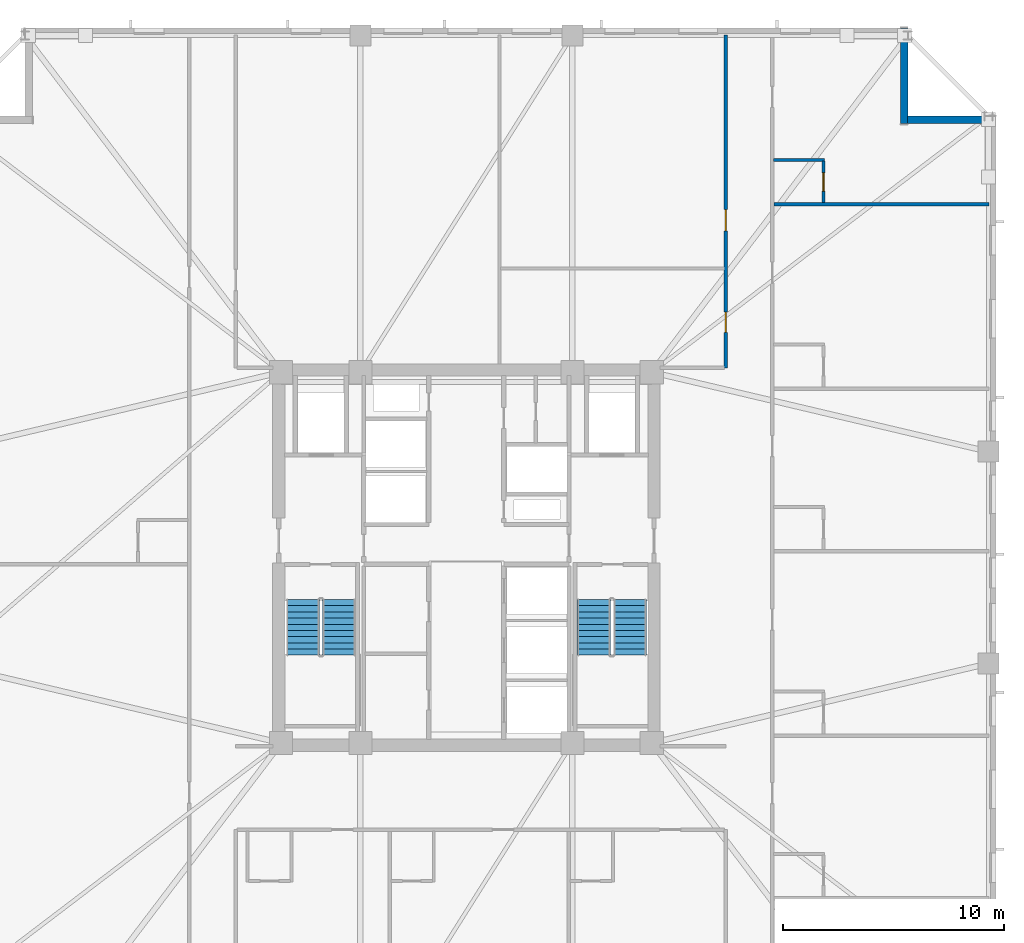
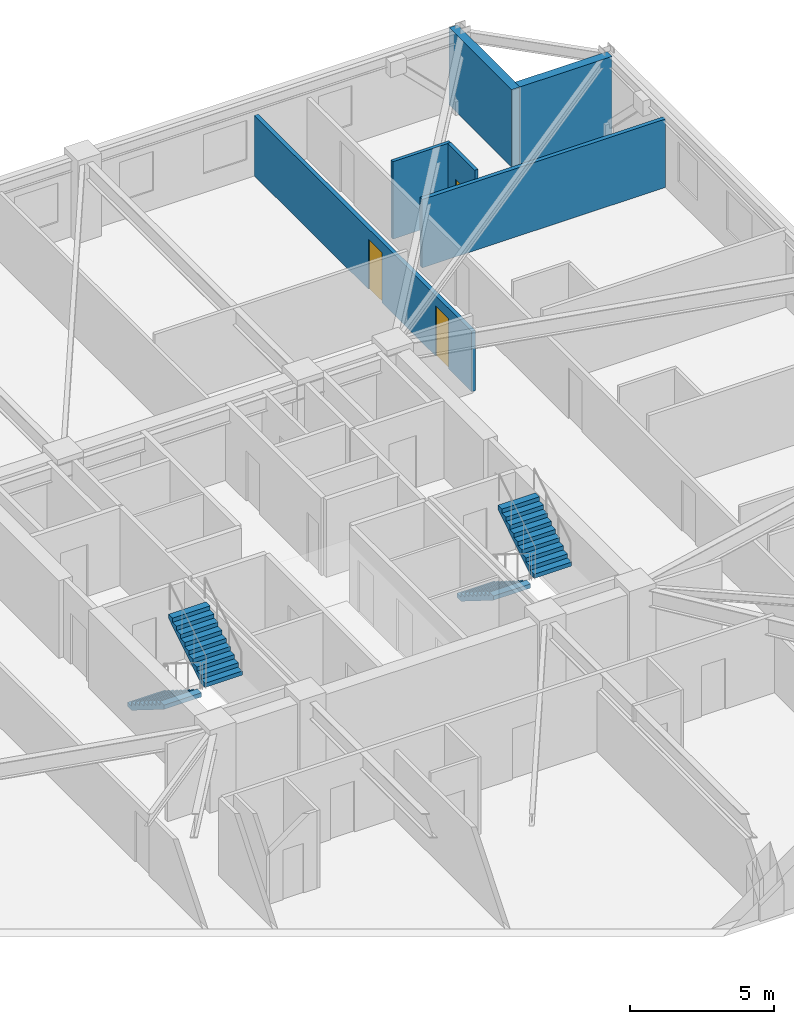
# One storey, part 6 of 11: 6 walls, 4 stair flights, 3 doors, 3 openings, 2 elements without a shape of their own.
"""IFC4 building model written with IfcOpenShell, lengths in metres."""

import ifcopenshell
import ifcopenshell.guid

model = None  # the IFC model being written
_history = None  # IfcOwnerHistory: only IFC2X3 demands one
_inside = {}  # id of a spatial element -> (the spatial element, [elements in it])
_under = {}  # id of a project, library or spatial element -> (it, [spatial elements below it])
_declared = {}  # id of a project -> (the project, [libraries it declares])
_typed = {}  # id of a type object -> (the type object, [elements of that type])
_made_of = {}  # id of a material, layer set ... -> (it, [elements and type objects made of it])


def new_model(schema):
    """Start an empty IFC model of exactly this schema.

    Asked for "IFC4X3", IfcOpenShell would pick the latest addendum, in which some entities
    have other attributes; the version numbers below select the first issue.
    IFC2X3 requires an IfcOwnerHistory on every rooted entity: one is made here for all.
    """
    global model, _history
    if schema == "IFC4X3":
        model = ifcopenshell.file(schema_version=(4, 3, 0, 0))
    else:
        model = ifcopenshell.file(schema=schema)
    _inside.clear()
    _under.clear()
    _declared.clear()
    _typed.clear()
    _made_of.clear()
    _history = None
    if model.schema == "IFC2X3":
        org = make("IfcOrganization", Name="unknown")
        user = make(
            "IfcPersonAndOrganization",
            ThePerson=make("IfcPerson", FamilyName="unknown"),
            TheOrganization=org,
        )
        app = make(
            "IfcApplication",
            ApplicationDeveloper=org,
            Version="unknown",
            ApplicationFullName="unknown",
            ApplicationIdentifier="unknown",
        )
        _history = make(
            "IfcOwnerHistory",
            OwningUser=user,
            OwningApplication=app,
            ChangeAction="ADDED",
            CreationDate=0,
        )
    return model


def make(cls, **values):
    """One entity of the class cls with the attributes given. An attribute that is None is left unset."""
    return model.create_entity(
        cls, **{name: value for name, value in values.items() if value is not None}
    )


def rooted(cls, **values):
    """An entity with a GlobalId (a new one), such as an element, a storey or a relation."""
    return make(cls, GlobalId=ifcopenshell.guid.new(), OwnerHistory=_history, **values)


def si_unit(unit_type, name, prefix=None):
    """IfcSIUnit, for example si_unit("LENGTHUNIT", "METRE", prefix="MILLI")."""
    return make("IfcSIUnit", UnitType=unit_type, Prefix=prefix, Name=name)


def assignment(units):
    """IfcUnitAssignment: the units of a project."""
    return None if units is None else make("IfcUnitAssignment", Units=units)


def point(xyz):
    """IfcCartesianPoint."""
    return None if xyz is None else make("IfcCartesianPoint", Coordinates=xyz)


def direction(xyz):
    """IfcDirection."""
    return None if xyz is None else make("IfcDirection", DirectionRatios=xyz)


def frame(location, z_axis=None, x_axis=None):
    """IfcAxis2Placement3D, a coordinate frame: its origin and axes. An axis left out is left unset."""
    return make(
        "IfcAxis2Placement3D",
        Location=point(location),
        Axis=direction(z_axis),
        RefDirection=direction(x_axis),
    )


def frame_2d(location, x_axis=None):
    """IfcAxis2Placement2D, a coordinate frame in the plane: its origin and x axis."""
    return make(
        "IfcAxis2Placement2D", Location=point(location), RefDirection=direction(x_axis)
    )


def origin():
    """The frame at (0, 0, 0) with its axes left unset."""
    return frame((0.0, 0.0, 0.0))


def place(relative_to, where):
    """IfcLocalPlacement: puts the frame where relative to a parent placement (None: the world)."""
    return make(
        "IfcLocalPlacement", PlacementRelTo=relative_to, RelativePlacement=where
    )


def context(
    kind, dimensions, precision=None, world=None, true_north=None, identifier=None
):
    """IfcGeometricRepresentationContext, for example the 3D "Model" context."""
    return make(
        "IfcGeometricRepresentationContext",
        ContextIdentifier=identifier,
        ContextType=kind,
        CoordinateSpaceDimension=dimensions,
        Precision=precision,
        WorldCoordinateSystem=world,
        TrueNorth=true_north,
    )


def subcontext(parent, identifier, kind, view, scale=None):
    """IfcGeometricRepresentationSubContext, for example "Body" below "Model"."""
    return make(
        "IfcGeometricRepresentationSubContext",
        ContextIdentifier=identifier,
        ContextType=kind,
        ParentContext=parent,
        TargetScale=scale,
        TargetView=view,
    )


def project(units=None, contexts=None):
    """IfcProject with its units and contexts."""
    return rooted(
        "IfcProject",
        Name="project",
        RepresentationContexts=contexts,
        UnitsInContext=assignment(units),
    )


def spatial(cls, under=None, at=None, **own):
    """A site, building, storey or space (cls), placed at a placement, below another one or the project."""
    s = rooted(cls, ObjectPlacement=at, **own)
    if under is not None:
        _under.setdefault(under.id(), (under, []))[1].append(s)
    return s


def polyline(points):
    """IfcPolyline through the points."""
    return make("IfcPolyline", Points=[point(p) for p in points])


def profile(cls, at=None, kind="AREA", **sizes):
    """A parametric profile (cls). Its sizes go by their IFC names, for example OverallWidth=200.0."""
    return make(cls, ProfileType=kind, Position=at, **sizes)


def rectangle(**sizes):
    """IfcRectangleProfileDef."""
    return profile("IfcRectangleProfileDef", **sizes)


def outline(outer, holes=None, kind="AREA"):
    """IfcArbitraryClosedProfileDef: a profile drawn as a closed curve; with holes, ...WithVoids."""
    if holes is None:
        return make("IfcArbitraryClosedProfileDef", ProfileType=kind, OuterCurve=outer)
    return make(
        "IfcArbitraryProfileDefWithVoids",
        ProfileType=kind,
        OuterCurve=outer,
        InnerCurves=holes,
    )


def extrude(swept, where, along, depth):
    """IfcExtrudedAreaSolid: the profile swept, set in the frame where, extruded along a direction by depth."""
    return make(
        "IfcExtrudedAreaSolid",
        SweptArea=swept,
        Position=where,
        ExtrudedDirection=direction(along),
        Depth=depth,
    )


def shape(context_of_items, identifier, shape_type, items):
    """IfcShapeRepresentation: the items that make up one representation, for example the "Body"."""
    return make(
        "IfcShapeRepresentation",
        ContextOfItems=context_of_items,
        RepresentationIdentifier=identifier,
        RepresentationType=shape_type,
        Items=items,
    )


def material(Name=None, Category=None):
    """IfcMaterial."""
    return make("IfcMaterial", Name=Name, Category=Category)


def layer(
    of_material, thickness, ventilated=None, Name=None, Category=None, Priority=None
):
    """IfcMaterialLayer: one layer of a wall or slab, of a material (None: an air gap)."""
    return make(
        "IfcMaterialLayer",
        Material=of_material,
        LayerThickness=thickness,
        IsVentilated=ventilated,
        Name=Name,
        Category=Category,
        Priority=Priority,
    )


def layer_set(layers, Name=None):
    """IfcMaterialLayerSet."""
    return make("IfcMaterialLayerSet", MaterialLayers=layers, LayerSetName=Name)


def made_of(thing, what):
    """Note that an element or type object is made of a material, layer set ...; save() writes the relation."""
    if what is not None:
        _made_of.setdefault(what.id(), (what, []))[1].append(thing)
    return thing


def type_object(cls, material=None, **own):
    """A type object (cls), such as IfcWallType, which elements share."""
    return made_of(rooted(cls, **own), material)


def element(
    cls,
    number,
    at=None,
    inside=None,
    cuts=None,
    type_object=None,
    material=None,
    context=None,
    identifier="Body",
    shape_type=None,
    held_by="IfcProductDefinitionShape",
    body=None,
    shapes=None,
    **own,
):
    """One element of the class cls, such as IfcWall. Its Tag is "e" and its number.

    at: its placement. inside: the storey or other place that contains it. cuts: it is an
    opening in that element (IfcRelVoidsElement). A single representation is given by context,
    identifier, shape_type and body (its items); several are given by shapes. held_by: the class
    of the entity that holds the representations. save() writes the other relations.
    """
    e = rooted(cls, Tag="e%d" % number, ObjectPlacement=at, **own)
    if body is not None:
        shapes = [shape(context, identifier, shape_type, body)]
    if shapes is not None:
        e.Representation = make(held_by, Representations=shapes)
    if inside is not None:
        _inside.setdefault(inside.id(), (inside, []))[1].append(e)
    if cuts is not None:
        rooted(
            "IfcRelVoidsElement", RelatingBuildingElement=cuts, RelatedOpeningElement=e
        )
    if type_object is not None:
        _typed.setdefault(type_object.id(), (type_object, []))[1].append(e)
    return made_of(e, material)


def fill(opening, filler):
    """IfcRelFillsElement: the door or window that sits in an opening."""
    return rooted(
        "IfcRelFillsElement",
        RelatingOpeningElement=opening,
        RelatedBuildingElement=filler,
    )


def aggregate(whole, parts):
    """IfcRelAggregates: a whole, such as a stair, and the parts it consists of."""
    return rooted("IfcRelAggregates", RelatingObject=whole, RelatedObjects=parts)


def save(model, path):
    """Write the relations noted so far, then the file.

    IfcRelAggregates (storeys below a building ...), IfcRelContainedInSpatialStructure (elements
    in a storey), IfcRelDefinesByType, IfcRelAssociatesMaterial and IfcRelDeclares: one each for
    every whole, place, type object, material and project.
    """
    for whole, parts in _under.values():
        aggregate(whole, parts)
    for where, things in _inside.values():
        rooted(
            "IfcRelContainedInSpatialStructure",
            RelatedElements=things,
            RelatingStructure=where,
        )
    for kind, things in _typed.values():
        rooted("IfcRelDefinesByType", RelatedObjects=things, RelatingType=kind)
    for what, things in _made_of.values():
        rooted("IfcRelAssociatesMaterial", RelatedObjects=things, RelatingMaterial=what)
    for by, libraries in _declared.values():
        rooted("IfcRelDeclares", RelatingContext=by, RelatedDefinitions=libraries)
    model.write(path)


model = new_model("IFC4")

# Units and contexts
model_context = context("Model", 3, precision=1e-05, world=origin(), true_north=direction((0.0, 1.0)))
body_context = subcontext(model_context, "Body", "Model", "MODEL_VIEW")
ifc_project = project(units=[si_unit("LENGTHUNIT", "METRE"), si_unit("AREAUNIT", "SQUARE_METRE"), si_unit("VOLUMEUNIT", "CUBIC_METRE"), si_unit("PLANEANGLEUNIT", "RADIAN"), si_unit("MASSUNIT", "GRAM", prefix="KILO")], contexts=[model_context])

# Site, building, storey
site_placement = place(None, origin())
site = spatial("IfcSite", under=ifc_project, at=site_placement, CompositionType="ELEMENT")
building_placement = place(site_placement, origin())
building = spatial("IfcBuilding", under=site, at=building_placement, Name="Cairnveth Concourse Tower", CompositionType="ELEMENT")
storey_placement = place(building_placement, frame((0.0, 0.0, 127.0)))
storey = spatial("IfcBuildingStorey", under=building, at=storey_placement, Name="L34", CompositionType="ELEMENT", Elevation=127.0)

# Wall, openings, doors
ifc_material_1 = material(Name="Gypsum Plasterboard Partition", Category="gypsum")
ifc_layer_1 = layer(ifc_material_1, 0.159912109375)
ifc_layer_set_1 = layer_set([ifc_layer_1], Name="Gypsum Plasterboard Partition")
wall_type_1 = type_object("IfcWallType", Name="ACOUSTIC PARTY WALL 180", PredefinedType="PARTITIONING", material=ifc_layer_set_1)
wall_1_placement = place(storey_placement, frame((63.75, 47.60009765625, 0.0), z_axis=(0.0, 0.0, 1.0), x_axis=(0.0, 1.0, 0.0)))
wall_1 = element("IfcWall", 1, at=wall_1_placement, inside=storey, type_object=wall_type_1, Name="Interior Wall IW-L34-044", PredefinedType="PARTITIONING", context=body_context, shape_type="SweptSolid", body=[
    extrude(rectangle(XDim=15.074951171875, YDim=0.159912109375, at=frame_2d((7.53759765625, 0.0))), origin(), (0.0, 0.0, 1.0), 2.554931640625),
])
opening_1_placement = place(wall_1_placement, frame((1.60009765625, 0.0, 0.0)))
opening_1 = element("IfcOpeningElement", 2, at=opening_1_placement, cuts=wall_1, Name="Opening ID15", PredefinedType="OPENING", context=body_context, shape_type="SweptSolid", body=[
    extrude(rectangle(XDim=0.919921875, YDim=2.1201171875, at=frame_2d((0.4599609375, 1.06005859375))), frame((0.0, 0.08984375, 0.0), z_axis=(0.0, -1.0, 0.0), x_axis=(1.0, 0.0, 0.0)), (0.0, 0.0, 1.0), 0.179931640625),
])
opening_2_placement = place(wall_1_placement, frame((6.199951171875, 0.0, 0.0)))
opening_2 = element("IfcOpeningElement", 3, at=opening_2_placement, cuts=wall_1, Name="Opening ID11", PredefinedType="OPENING", context=body_context, shape_type="SweptSolid", body=[
    extrude(rectangle(XDim=0.9599609375, YDim=2.1201171875, at=frame_2d((0.47998046875, 1.06005859375))), frame((0.0, 0.08984375, 0.0), z_axis=(0.0, -1.0, 0.0), x_axis=(1.0, 0.0, 0.0)), (0.0, 0.0, 1.0), 0.179931640625),
])
ifc_material_2 = material(Name="Solid Core Hardwood Timber Leaf", Category="wood")
door_type_1 = type_object("IfcDoorType", Name="INTERIOR SINGLE DOOR 920X2100", OperationType="NOTDEFINED", PredefinedType="DOOR", material=ifc_material_2)
door_1_placement = place(opening_1_placement, origin())
door_1 = element("IfcDoor", 4, at=door_1_placement, inside=storey, type_object=door_type_1, Name="Interior Door DR-L34-017", OperationType="SINGLE_SWING_LEFT", OverallHeight=2.1201171875, OverallWidth=0.919921875, PredefinedType="DOOR", context=body_context, shape_type="SweptSolid", body=[
    extrude(rectangle(XDim=0.919921875, YDim=2.1201171875, at=frame_2d((0.4599609375, 1.06005859375))), frame((0.0, 0.02490234375, 0.0), z_axis=(0.0, -1.0, 0.0), x_axis=(1.0, 0.0, 0.0)), (0.0, 0.0, 1.0), 0.050048828125),
])
fill(opening_1, door_1)
door_type_2 = type_object("IfcDoorType", Name="INTERIOR SINGLE DOOR 960X2150", OperationType="NOTDEFINED", PredefinedType="DOOR", material=ifc_material_2)
door_2_placement = place(opening_2_placement, origin())
door_2 = element("IfcDoor", 5, at=door_2_placement, inside=storey, type_object=door_type_2, Name="Interior Door DR-L34-018", OperationType="SINGLE_SWING_RIGHT", OverallHeight=2.1201171875, OverallWidth=0.9599609375, PredefinedType="DOOR", context=body_context, shape_type="SweptSolid", body=[
    extrude(rectangle(XDim=0.9599609375, YDim=2.1201171875, at=frame_2d((0.47998046875, 1.06005859375))), frame((0.0, 0.02490234375, 0.0), z_axis=(0.0, -1.0, 0.0), x_axis=(1.0, 0.0, 0.0)), (0.0, 0.0, 1.0), 0.050048828125),
])
fill(opening_2, door_2)

# Walls
wall_2_placement = place(storey_placement, frame((65.929931640625, 55.015625, 0.0), z_axis=(0.0, 0.0, 1.0), x_axis=(1.0, 0.0, 0.0)))
element("IfcWall", 6, at=wall_2_placement, inside=storey, type_object=wall_type_1, Name="Interior Wall IW-L34-080", PredefinedType="PARTITIONING", context=body_context, shape_type="SweptSolid", body=[
    extrude(rectangle(XDim=9.7451171875, YDim=0.159912109375, at=frame_2d((4.87255859375, 0.0))), origin(), (0.0, 0.0, 1.0), 2.89599609375),
])
ifc_layer_2 = layer(ifc_material_1, 0.1298828125)
ifc_layer_set_2 = layer_set([ifc_layer_2], Name="Gypsum Plasterboard Partition")
wall_type_2 = type_object("IfcWallType", Name="WET AREA PARTITION 140", PredefinedType="PLUMBINGWALL", material=ifc_layer_set_2)
wall_3_placement = place(storey_placement, frame((65.9150390625, 57.015625, 0.0), z_axis=(0.0, 0.0, 1.0), x_axis=(1.0, 0.0, 0.0)))
element("IfcWall", 7, at=wall_3_placement, inside=storey, type_object=wall_type_2, Name="Interior Wall IW-L34-081", PredefinedType="PLUMBINGWALL", context=body_context, shape_type="SweptSolid", body=[
    extrude(rectangle(XDim=2.31494140625, YDim=0.1298828125, at=frame_2d((1.157470703125, 0.0))), origin(), (0.0, 0.0, 1.0), 3.280029296875),
])

# Wall, opening, door
wall_4_placement = place(storey_placement, frame((68.179931640625, 55.080810546875, 0.0), z_axis=(0.0, 0.0, 1.0), x_axis=(0.0, 1.0, 0.0)))
wall_4 = element("IfcWall", 8, at=wall_4_placement, inside=storey, type_object=wall_type_2, Name="Interior Wall IW-L34-082", PredefinedType="PLUMBINGWALL", context=body_context, shape_type="SweptSolid", body=[
    extrude(rectangle(XDim=1.885009765625, YDim=0.1298828125, at=frame_2d((0.9423828125, 0.0))), origin(), (0.0, 0.0, 1.0), 3.280029296875),
])
opening_3_placement = place(wall_4_placement, frame((0.52490234375, 0.0, 0.0)))
opening_3 = element("IfcOpeningElement", 9, at=opening_3_placement, cuts=wall_4, Name="Opening ID22", PredefinedType="OPENING", context=body_context, shape_type="SweptSolid", body=[
    extrude(rectangle(XDim=0.820068359375, YDim=2.10009765625, at=frame_2d((0.41015625, 1.050048828125))), frame((0.0, 0.074951171875, 0.0), z_axis=(0.0, -1.0, 0.0), x_axis=(1.0, 0.0, 0.0)), (0.0, 0.0, 1.0), 0.14990234375),
])
door_type_3 = type_object("IfcDoorType", Name="INTERIOR WC DOOR 820X2100", OperationType="NOTDEFINED", PredefinedType="DOOR", material=ifc_material_2)
door_3_placement = place(opening_3_placement, origin())
door_3 = element("IfcDoor", 10, at=door_3_placement, inside=storey, type_object=door_type_3, Name="En-Suite Door L34-E6", OperationType="SINGLE_SWING_LEFT", OverallHeight=2.10009765625, OverallWidth=0.820068359375, PredefinedType="DOOR", context=body_context, shape_type="SweptSolid", body=[
    extrude(rectangle(XDim=0.820068359375, YDim=2.10009765625, at=frame_2d((0.41015625, 1.050048828125))), frame((0.0, 0.02490234375, 0.0), z_axis=(0.0, -1.0, 0.0), x_axis=(1.0, 0.0, 0.0)), (0.0, 0.0, 1.0), 0.050048828125),
])
fill(opening_3, door_3)

# Walls
ifc_material_3 = material(Name="Hawthorn Red-Ochre Fired Clay Brick Masonry", Category="masonry")
ifc_layer_3 = layer(ifc_material_3, 0.340087890625)
ifc_layer_set_3 = layer_set([ifc_layer_3], Name="Hawthorn Red-Ochre Fired Clay Brick Masonry")
wall_type_3 = type_object("IfcWallType", Name="ZONE 2 BRICK PIER SPANDREL WALL 340", PredefinedType="SOLIDWALL", material=ifc_layer_set_3)
wall_5_placement = place(storey_placement, frame((71.830078125, 63.0, 0.0), z_axis=(0.0, 0.0, 1.0), x_axis=(0.0, -1.0, 0.0)))
element("IfcWall", 11, at=wall_5_placement, inside=storey, type_object=wall_type_3, Name="Exterior Wall EW-L34-S04", PredefinedType="SOLIDWALL", context=body_context, shape_type="SweptSolid", body=[
    extrude(rectangle(XDim=4.340087890625, YDim=0.340087890625, at=frame_2d((2.169921875, 0.0))), origin(), (0.0, 0.0, 1.0), 3.280029296875),
])
wall_6_placement = place(storey_placement, frame((71.97802734375, 58.830078125, 0.0), z_axis=(0.0, 0.0, 1.0), x_axis=(1.0, 0.0, 0.0)))
element("IfcWall", 12, at=wall_6_placement, inside=storey, type_object=wall_type_3, Name="Exterior Wall EW-L34-S05", PredefinedType="SOLIDWALL", context=body_context, shape_type="SweptSolid", body=[
    extrude(rectangle(XDim=3.703857421875, YDim=0.340087890625, at=frame_2d((1.85205078125, 0.0))), origin(), (0.0, 0.0, 1.0), 3.280029296875),
])

# Stair, stair flights
ifc_material_4 = material(Name="Precast concrete N50 (50 MPa)", Category="concrete")
stair_type = type_object("IfcStairType", Name="CORE DOG-LEG FIRE STAIR 1500", PredefinedType="HALF_TURN_STAIR", material=ifc_material_4)
stair_1_placement = place(storey_placement, origin())
stair_1 = element("IfcStair", 13, at=stair_1_placement, inside=storey, type_object=stair_type, Name="L34 Fire-Isolated Stair ST-1", PredefinedType="HALF_TURN_STAIR")
stair_flight_type = type_object("IfcStairFlightType", Name="PRECAST CONCRETE STAIR FLIGHT 1500", PredefinedType="STRAIGHT", material=ifc_material_4)
stair_flight_1_placement = place(storey_placement, frame((44.590087890625, 37.10009765625, 0.0), z_axis=(0.0, 0.0, 1.0), x_axis=(0.0, -1.0, 0.0)))
stair_flight_1 = element("IfcStairFlight", 14, at=stair_flight_1_placement, type_object=stair_flight_type, Name="ST-1 flight 1", NumberOfRisers=10, NumberOfTreads=9, PredefinedType="STRAIGHT", RiserHeight=0.175, TreadLength=0.28, context=body_context, shape_type="SweptSolid", body=[
    extrude(outline(polyline([(0.0, 0.0), (0.0, 0.175048828125), (0.280029296875, 0.175048828125), (0.280029296875, 0.35009765625), (0.56005859375, 0.35009765625), (0.56005859375, 0.52490234375), (0.840087890625, 0.52490234375), (0.840087890625, 0.699951171875), (1.1201171875, 0.699951171875), (1.1201171875, 0.875), (1.39990234375, 0.875), (1.39990234375, 1.050048828125), (1.679931640625, 1.050048828125), (1.679931640625, 1.22509765625), (1.9599609375, 1.22509765625), (1.9599609375, 1.39990234375), (2.239990234375, 1.39990234375), (2.239990234375, 1.574951171875), (2.52001953125, 1.574951171875), (2.52001953125, 1.75), (2.52001953125, 1.398193359375), (0.28271484375, 0.0), (0.0, 0.0)])), frame((0.0, 0.75, 0.0), z_axis=(0.0, -1.0, 0.0), x_axis=(1.0, 0.0, 0.0)), (0.0, 0.0, 1.0), 1.5),
])
stair_flight_2_placement = place(storey_placement, frame((46.22998046875, 34.580078125, 1.75), z_axis=(0.0, 0.0, 1.0), x_axis=(0.0, 1.0, 0.0)))
stair_flight_2 = element("IfcStairFlight", 15, at=stair_flight_2_placement, type_object=stair_flight_type, Name="ST-1 flight 2", NumberOfRisers=10, NumberOfTreads=9, PredefinedType="STRAIGHT", RiserHeight=0.175, TreadLength=0.28, context=body_context, shape_type="SweptSolid", body=[
    extrude(outline(polyline([(0.0, 0.0), (0.0, 0.175048828125), (0.280029296875, 0.175048828125), (0.280029296875, 0.35009765625), (0.56005859375, 0.35009765625), (0.56005859375, 0.52490234375), (0.840087890625, 0.52490234375), (0.840087890625, 0.699951171875), (1.1201171875, 0.699951171875), (1.1201171875, 0.875), (1.39990234375, 0.875), (1.39990234375, 1.050048828125), (1.679931640625, 1.050048828125), (1.679931640625, 1.22509765625), (1.9599609375, 1.22509765625), (1.9599609375, 1.39990234375), (2.239990234375, 1.39990234375), (2.239990234375, 1.574951171875), (2.52001953125, 1.574951171875), (2.52001953125, 1.75), (2.52001953125, 1.398193359375), (0.28271484375, 0.0), (0.0, 0.0)])), frame((0.0, 0.75, 0.0), z_axis=(0.0, -1.0, 0.0), x_axis=(1.0, 0.0, 0.0)), (0.0, 0.0, 1.0), 1.5),
])
aggregate(stair_1, [stair_flight_1, stair_flight_2])

stair_2_placement = place(storey_placement, origin())
stair_2 = element("IfcStair", 16, at=stair_2_placement, inside=storey, type_object=stair_type, Name="L34 Fire-Isolated Stair ST-2", PredefinedType="HALF_TURN_STAIR")
stair_flight_3_placement = place(storey_placement, frame((57.77001953125, 37.10009765625, 0.0), z_axis=(0.0, 0.0, 1.0), x_axis=(0.0, -1.0, 0.0)))
stair_flight_3 = element("IfcStairFlight", 17, at=stair_flight_3_placement, type_object=stair_flight_type, Name="ST-2 flight 1", NumberOfRisers=10, NumberOfTreads=9, PredefinedType="STRAIGHT", RiserHeight=0.175, TreadLength=0.28, context=body_context, shape_type="SweptSolid", body=[
    extrude(outline(polyline([(0.0, 0.0), (0.0, 0.175048828125), (0.280029296875, 0.175048828125), (0.280029296875, 0.35009765625), (0.56005859375, 0.35009765625), (0.56005859375, 0.52490234375), (0.840087890625, 0.52490234375), (0.840087890625, 0.699951171875), (1.1201171875, 0.699951171875), (1.1201171875, 0.875), (1.39990234375, 0.875), (1.39990234375, 1.050048828125), (1.679931640625, 1.050048828125), (1.679931640625, 1.22509765625), (1.9599609375, 1.22509765625), (1.9599609375, 1.39990234375), (2.239990234375, 1.39990234375), (2.239990234375, 1.574951171875), (2.52001953125, 1.574951171875), (2.52001953125, 1.75), (2.52001953125, 1.398193359375), (0.28271484375, 0.0), (0.0, 0.0)])), frame((0.0, 0.75, 0.0), z_axis=(0.0, -1.0, 0.0), x_axis=(1.0, 0.0, 0.0)), (0.0, 0.0, 1.0), 1.5),
])
stair_flight_4_placement = place(storey_placement, frame((59.409912109375, 34.580078125, 1.75), z_axis=(0.0, 0.0, 1.0), x_axis=(0.0, 1.0, 0.0)))
stair_flight_4 = element("IfcStairFlight", 18, at=stair_flight_4_placement, type_object=stair_flight_type, Name="ST-2 flight 2", NumberOfRisers=10, NumberOfTreads=9, PredefinedType="STRAIGHT", RiserHeight=0.175, TreadLength=0.28, context=body_context, shape_type="SweptSolid", body=[
    extrude(outline(polyline([(0.0, 0.0), (0.0, 0.175048828125), (0.280029296875, 0.175048828125), (0.280029296875, 0.35009765625), (0.56005859375, 0.35009765625), (0.56005859375, 0.52490234375), (0.840087890625, 0.52490234375), (0.840087890625, 0.699951171875), (1.1201171875, 0.699951171875), (1.1201171875, 0.875), (1.39990234375, 0.875), (1.39990234375, 1.050048828125), (1.679931640625, 1.050048828125), (1.679931640625, 1.22509765625), (1.9599609375, 1.22509765625), (1.9599609375, 1.39990234375), (2.239990234375, 1.39990234375), (2.239990234375, 1.574951171875), (2.52001953125, 1.574951171875), (2.52001953125, 1.75), (2.52001953125, 1.398193359375), (0.28271484375, 0.0), (0.0, 0.0)])), frame((0.0, 0.75, 0.0), z_axis=(0.0, -1.0, 0.0), x_axis=(1.0, 0.0, 0.0)), (0.0, 0.0, 1.0), 1.5),
])
aggregate(stair_2, [stair_flight_3, stair_flight_4])

save(model, "model.ifc")
